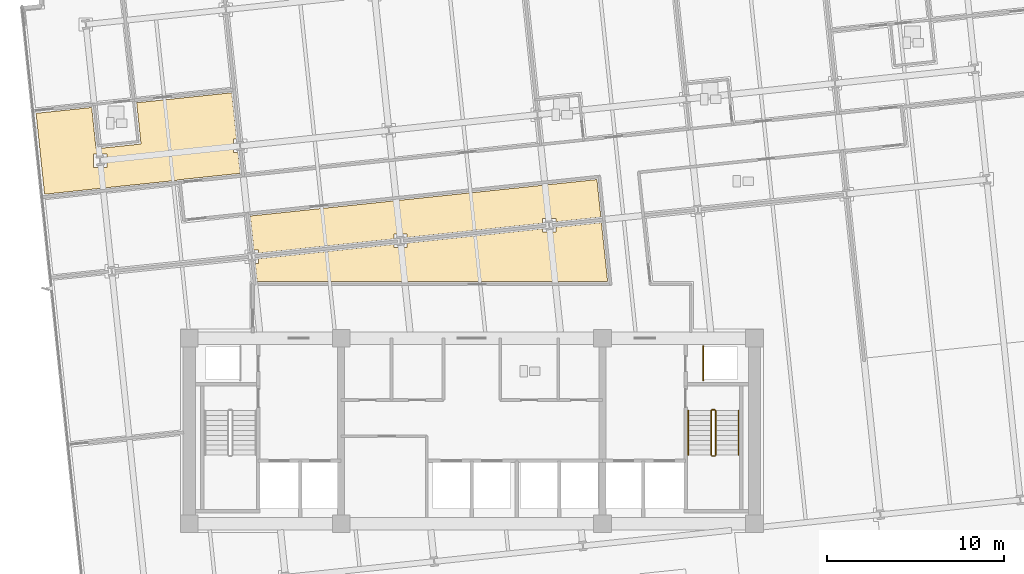
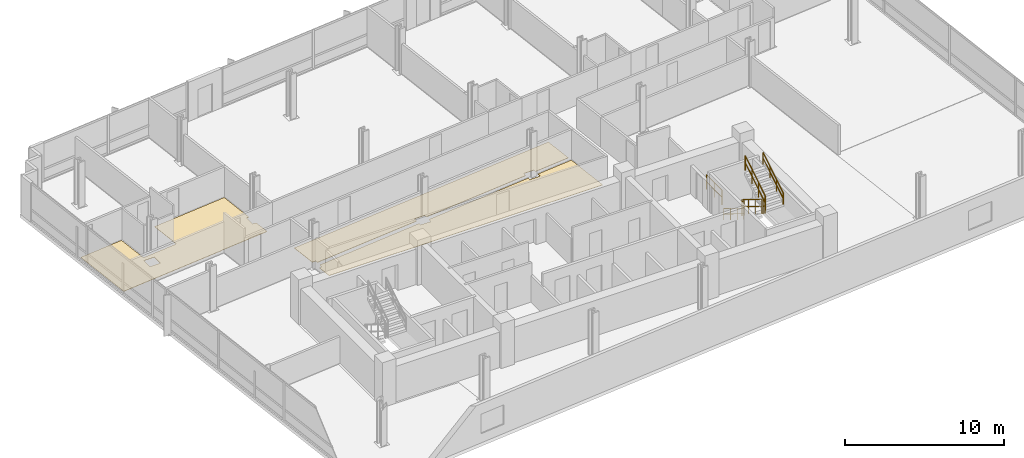
# One storey, part 15 of 18: 7 railings, 3 coverings.
"""IFC4 building model written with IfcOpenShell, lengths in metres."""

from ifc_helpers import new_model, si_unit, direction, frame, origin, origin_2d, place, context, subcontext, project, spatial, polyline, circle, outline, extrude, material, layer, layer_set, type_object, element, save


model = new_model("IFC4")

# Units and contexts
model_context = context("Model", 3, precision=1e-05, world=origin(), true_north=direction((0.0, 1.0)))
body_context = subcontext(model_context, "Body", "Model", "MODEL_VIEW")
ifc_project = project(units=[si_unit("LENGTHUNIT", "METRE"), si_unit("AREAUNIT", "SQUARE_METRE"), si_unit("VOLUMEUNIT", "CUBIC_METRE"), si_unit("PLANEANGLEUNIT", "RADIAN"), si_unit("MASSUNIT", "GRAM", prefix="KILO")], contexts=[model_context])

# Site, building, storey
site_placement = place(None, origin())
site = spatial("IfcSite", under=ifc_project, at=site_placement, CompositionType="ELEMENT")
building_placement = place(site_placement, origin())
building = spatial("IfcBuilding", under=site, at=building_placement, Name="Solmavex Isthmus Hotel", CompositionType="ELEMENT")
storey_placement = place(building_placement, frame((0.0, 0.0, 127.050048828125)))
storey = spatial("IfcBuildingStorey", under=building, at=storey_placement, Name="L34", CompositionType="ELEMENT", Elevation=127.050048828125)

# Coverings
ifc_material_1 = material(Name="Travertine natural stone", Category="masonry")
ifc_layer_1 = layer(ifc_material_1, 0.02490234375)
ifc_layer_set_1 = layer_set([ifc_layer_1], Name="Travertine natural stone")
covering_type = type_object("IfcCoveringType", Name="COV-FLOR-STN", PredefinedType="FLOORING", material=ifc_layer_set_1)
covering_1_placement = place(storey_placement, origin())
element("IfcCovering", 1, at=covering_1_placement, inside=storey, type_object=covering_type, Name="Stone and Timber Floor Finish L34-ST01-FY", PredefinedType="FLOORING", context=body_context, shape_type="SweptSolid", body=[
    extrude(outline(polyline([(-21.519775390625, 10.560791015625), (-24.66650390625, 10.22998046875), (-24.184814453125, 5.647216796875), (-16.688232421875, 6.43505859375), (-16.690185546875, 6.455078125), (-13.10986328125, 6.831298828125), (-13.23291015625, 8.002197265625), (-13.4970703125, 8.002197265625), (-13.4970703125, 8.76220703125), (-13.31298828125, 8.76220703125), (-13.589599609375, 11.394287109375), (-18.973876953125, 10.828369140625), (-18.728271484375, 8.4912109375), (-21.274169921875, 8.2236328125), (-21.519775390625, 10.560791015625)]), holes=[polyline([(-21.42138671875, 7.169189453125), (-21.42138671875, 7.92919921875), (-20.661376953125, 7.92919921875), (-20.661376953125, 7.169189453125), (-21.42138671875, 7.169189453125)])]), origin(), (0.0, 0.0, 1.0), 0.02490234375),
])
covering_2_placement = place(storey_placement, origin())
element("IfcCovering", 2, at=covering_2_placement, inside=storey, type_object=covering_type, Name="Stone and Timber Floor Finish L34-FL08", PredefinedType="FLOORING", context=body_context, shape_type="SweptSolid", body=[
    extrude(outline(polyline([(4.00048828125, 4.00439453125), (4.00048828125, 4.2685546875), (4.760498046875, 4.2685546875), (4.760498046875, 4.084228515625), (7.30615234375, 4.351806640625), (7.082275390625, 6.480224609375), (-12.54443359375, 4.417236328125), (-12.3427734375, 2.49853515625), (-12.078857421875, 2.49853515625), (-12.078857421875, 2.314453125), (-4.419189453125, 3.119384765625), (-4.419189453125, 3.383544921875), (-3.6591796875, 3.383544921875), (-3.6591796875, 3.199462890625), (4.00048828125, 4.00439453125)])), origin(), (0.0, 0.0, 1.0), 0.02490234375),
])
covering_3_placement = place(storey_placement, origin())
element("IfcCovering", 3, at=covering_3_placement, inside=storey, type_object=covering_type, Name="Stone and Timber Floor Finish L34-FL09", PredefinedType="FLOORING", context=body_context, shape_type="SweptSolid", body=[
    extrude(outline(polyline([(-12.078857421875, 2.002685546875), (-12.078857421875, 1.738525390625), (-12.262939453125, 1.738525390625), (-12.154296875, 0.705078125), (7.689453125, 0.705078125), (7.33837890625, 4.04345703125), (4.760498046875, 3.7724609375), (4.760498046875, 3.508544921875), (4.00048828125, 3.508544921875), (4.00048828125, 3.692626953125), (-3.6591796875, 2.8876953125), (-3.6591796875, 2.62353515625), (-4.419189453125, 2.62353515625), (-4.419189453125, 2.807861328125), (-12.078857421875, 2.002685546875)])), origin(), (0.0, 0.0, 1.0), 0.02490234375),
])

# Railings
ifc_material_2 = material(Name="Clear low-E laminated glass", Category="glass")
ifc_layer_2 = layer(ifc_material_2, 0.080078125)
ifc_layer_set_2 = layer_set([ifc_layer_2], Name="Clear low-E laminated glass")
railing_type_1 = type_object("IfcRailingType", Name="RAIL-ATRIUM-1120", PredefinedType="BALUSTRADE", material=ifc_layer_set_2)
railing_1_placement = place(storey_placement, frame((13.10009765625, -4.89990234375, 0.0)))
element("IfcRailing", 4, at=railing_1_placement, inside=storey, type_object=railing_type_1, Name="Guardrail Balustrade L34-RSE-01", PredefinedType="BALUSTRADE", context=body_context, shape_type="SweptSolid", body=[
    extrude(circle(Radius=0.02392578125, at=origin_2d()), frame((0.0, 0.0, 1.1259765625), z_axis=(0.0, 1.0, 0.0), x_axis=(-1.0, 0.0, 0.0)), (0.0, 0.0, 1.0), 1.949951171875),
    extrude(circle(Radius=0.02392578125, at=origin_2d()), frame((0.0, 0.0, 0.574951171875), z_axis=(0.0, 1.0, 0.0), x_axis=(-1.0, 0.0, 0.0)), (0.0, 0.0, 1.0), 1.949951171875),
    extrude(circle(Radius=0.02099609375, at=origin_2d()), origin(), (0.0, 0.0, 1.0), 1.101806640625),
    extrude(circle(Radius=0.02099609375, at=origin_2d()), frame((0.0, 0.97509765625, 0.0)), (0.0, 0.0, 1.0), 1.101806640625),
    extrude(circle(Radius=0.02099609375, at=origin_2d()), frame((0.0, 1.949951171875, 0.0)), (0.0, 0.0, 1.0), 1.101806640625),
])
ifc_material_3 = material(Name="Stainless steel 316", Category="steel")
ifc_layer_3 = layer(ifc_material_3, 0.06005859375)
ifc_layer_set_3 = layer_set([ifc_layer_3], Name="Stainless steel 316")
railing_type_2 = type_object("IfcRailingType", Name="RAIL-STAIR-GD", PredefinedType="GUARDRAIL", material=ifc_layer_set_3)
railing_2_placement = place(storey_placement, frame((13.550048828125, -6.60009765625, 0.17236328125)))
element("IfcRailing", 5, at=railing_2_placement, inside=storey, type_object=railing_type_2, Name="L34 ST-2 stair guard 1", PredefinedType="GUARDRAIL", context=body_context, shape_type="SweptSolid", body=[
    extrude(circle(Radius=0.02392578125, at=origin_2d()), frame((0.0, 0.0, 1.09619140625), z_axis=(0.0, -0.851400495292, 0.524516154772), x_axis=(1.0, 0.0, 0.0)), (0.0, 0.0, 1.0), 2.9599609375),
    extrude(circle(Radius=0.02392578125, at=origin_2d()), frame((0.0, 0.0, 0.56005859375), z_axis=(0.0, -0.851400495292, 0.524516154772), x_axis=(1.0, 0.0, 0.0)), (0.0, 0.0, 1.0), 2.9599609375),
    extrude(circle(Radius=0.02099609375, at=origin_2d()), origin(), (0.0, 0.0, 1.0), 1.072021484375),
    extrude(circle(Radius=0.02099609375, at=origin_2d()), frame((0.0, -0.840087890625, 0.517578125)), (0.0, 0.0, 1.0), 1.072021484375),
    extrude(circle(Radius=0.02099609375, at=origin_2d()), frame((0.0, -1.679931640625, 1.034912109375)), (0.0, 0.0, 1.0), 1.072021484375),
    extrude(circle(Radius=0.02099609375, at=origin_2d()), frame((0.0, -2.52001953125, 1.552490234375)), (0.0, 0.0, 1.0), 1.072021484375),
])
railing_3_placement = place(storey_placement, frame((13.60009765625, -9.169921875, 1.724853515625)))
element("IfcRailing", 6, at=railing_3_placement, inside=storey, type_object=railing_type_2, Name="L34 ST-2 stair guard 2", PredefinedType="GUARDRAIL", context=body_context, shape_type="SweptSolid", body=[
    extrude(circle(Radius=0.02392578125, at=origin_2d()), frame((0.0, 0.0, 1.09619140625), z_axis=(1.0, 0.0, 0.0), x_axis=(0.0, 1.0, 0.0)), (0.0, 0.0, 1.0), 0.14990234375),
    extrude(circle(Radius=0.02392578125, at=origin_2d()), frame((0.0, 0.0, 0.56005859375), z_axis=(1.0, 0.0, 0.0), x_axis=(0.0, 1.0, 0.0)), (0.0, 0.0, 1.0), 0.14990234375),
    extrude(circle(Radius=0.02099609375, at=origin_2d()), origin(), (0.0, 0.0, 1.0), 1.072021484375),
    extrude(circle(Radius=0.02099609375, at=origin_2d()), frame((0.14990234375, 0.0, 0.0)), (0.0, 0.0, 1.0), 1.072021484375),
])
railing_4_placement = place(storey_placement, frame((13.800048828125, -9.1201171875, 1.8974609375)))
element("IfcRailing", 7, at=railing_4_placement, inside=storey, type_object=railing_type_2, Name="L34 ST-2 stair guard 3", PredefinedType="GUARDRAIL", context=body_context, shape_type="SweptSolid", body=[
    extrude(circle(Radius=0.02392578125, at=origin_2d()), frame((0.0, 0.0, 1.09619140625), z_axis=(0.0, 0.851400495292, 0.524516154772), x_axis=(-1.0, 0.0, 0.0)), (0.0, 0.0, 1.0), 2.9599609375),
    extrude(circle(Radius=0.02392578125, at=origin_2d()), frame((0.0, 0.0, 0.56005859375), z_axis=(0.0, 0.851400495292, 0.524516154772), x_axis=(-1.0, 0.0, 0.0)), (0.0, 0.0, 1.0), 2.9599609375),
    extrude(circle(Radius=0.02099609375, at=origin_2d()), origin(), (0.0, 0.0, 1.0), 1.072021484375),
    extrude(circle(Radius=0.02099609375, at=origin_2d()), frame((0.0, 0.840087890625, 0.517578125)), (0.0, 0.0, 1.0), 1.072021484375),
    extrude(circle(Radius=0.02099609375, at=origin_2d()), frame((0.0, 1.679931640625, 1.034912109375)), (0.0, 0.0, 1.0), 1.072021484375),
    extrude(circle(Radius=0.02099609375, at=origin_2d()), frame((0.0, 2.52001953125, 1.552490234375)), (0.0, 0.0, 1.0), 1.072021484375),
])
railing_5_placement = place(storey_placement, frame((13.60009765625, -6.550048828125, 0.0)))
element("IfcRailing", 8, at=railing_5_placement, inside=storey, type_object=railing_type_2, Name="L34 ST-2 stair guard 4", PredefinedType="GUARDRAIL", context=body_context, shape_type="SweptSolid", body=[
    extrude(circle(Radius=0.02392578125, at=origin_2d()), frame((0.0, 0.0, 1.09619140625), z_axis=(1.0, 0.0, 0.0), x_axis=(0.0, 1.0, 0.0)), (0.0, 0.0, 1.0), 0.14990234375),
    extrude(circle(Radius=0.02392578125, at=origin_2d()), frame((0.0, 0.0, 0.56005859375), z_axis=(1.0, 0.0, 0.0), x_axis=(0.0, 1.0, 0.0)), (0.0, 0.0, 1.0), 0.14990234375),
    extrude(circle(Radius=0.02099609375, at=origin_2d()), origin(), (0.0, 0.0, 1.0), 1.072021484375),
    extrude(circle(Radius=0.02099609375, at=origin_2d()), frame((0.14990234375, 0.0, 0.0)), (0.0, 0.0, 1.0), 1.072021484375),
])
ifc_layer_4 = layer(ifc_material_3, 0.050048828125)
ifc_layer_set_4 = layer_set([ifc_layer_4], Name="Stainless steel 316")
railing_type_3 = type_object("IfcRailingType", Name="RAIL-STAIR-HR", PredefinedType="HANDRAIL", material=ifc_layer_set_4)
railing_6_placement = place(storey_placement, frame((12.25, -6.60009765625, 0.17236328125)))
element("IfcRailing", 9, at=railing_6_placement, inside=storey, type_object=railing_type_3, Name="L34 ST-2 stair handrail 1", PredefinedType="HANDRAIL", context=body_context, shape_type="SweptSolid", body=[
    extrude(circle(Radius=0.02392578125, at=origin_2d()), frame((0.0, 0.0, 0.8759765625), z_axis=(0.0, -0.851400495292, 0.524516154772), x_axis=(1.0, 0.0, 0.0)), (0.0, 0.0, 1.0), 2.9599609375),
    extrude(circle(Radius=0.02392578125, at=origin_2d()), frame((0.0, 0.0, 0.449951171875), z_axis=(0.0, -0.851400495292, 0.524516154772), x_axis=(1.0, 0.0, 0.0)), (0.0, 0.0, 1.0), 2.9599609375),
    extrude(circle(Radius=0.02099609375, at=origin_2d()), origin(), (0.0, 0.0, 1.0), 0.851806640625),
    extrude(circle(Radius=0.02099609375, at=origin_2d()), frame((0.0, -0.840087890625, 0.517578125)), (0.0, 0.0, 1.0), 0.851806640625),
    extrude(circle(Radius=0.02099609375, at=origin_2d()), frame((0.0, -1.679931640625, 1.034912109375)), (0.0, 0.0, 1.0), 0.851806640625),
    extrude(circle(Radius=0.02099609375, at=origin_2d()), frame((0.0, -2.52001953125, 1.552490234375)), (0.0, 0.0, 1.0), 0.851806640625),
])
railing_7_placement = place(storey_placement, frame((15.10009765625, -9.1201171875, 1.8974609375)))
element("IfcRailing", 10, at=railing_7_placement, inside=storey, type_object=railing_type_3, Name="L34 ST-2 stair handrail 2", PredefinedType="HANDRAIL", context=body_context, shape_type="SweptSolid", body=[
    extrude(circle(Radius=0.02392578125, at=origin_2d()), frame((0.0, 0.0, 0.8759765625), z_axis=(0.0, 0.851400495292, 0.524516154772), x_axis=(-1.0, 0.0, 0.0)), (0.0, 0.0, 1.0), 2.9599609375),
    extrude(circle(Radius=0.02392578125, at=origin_2d()), frame((0.0, 0.0, 0.449951171875), z_axis=(0.0, 0.851400495292, 0.524516154772), x_axis=(-1.0, 0.0, 0.0)), (0.0, 0.0, 1.0), 2.9599609375),
    extrude(circle(Radius=0.02099609375, at=origin_2d()), origin(), (0.0, 0.0, 1.0), 0.851806640625),
    extrude(circle(Radius=0.02099609375, at=origin_2d()), frame((0.0, 0.840087890625, 0.517578125)), (0.0, 0.0, 1.0), 0.851806640625),
    extrude(circle(Radius=0.02099609375, at=origin_2d()), frame((0.0, 1.679931640625, 1.034912109375)), (0.0, 0.0, 1.0), 0.851806640625),
    extrude(circle(Radius=0.02099609375, at=origin_2d()), frame((0.0, 2.52001953125, 1.552490234375)), (0.0, 0.0, 1.0), 0.851806640625),
])

save(model, "model.ifc")
